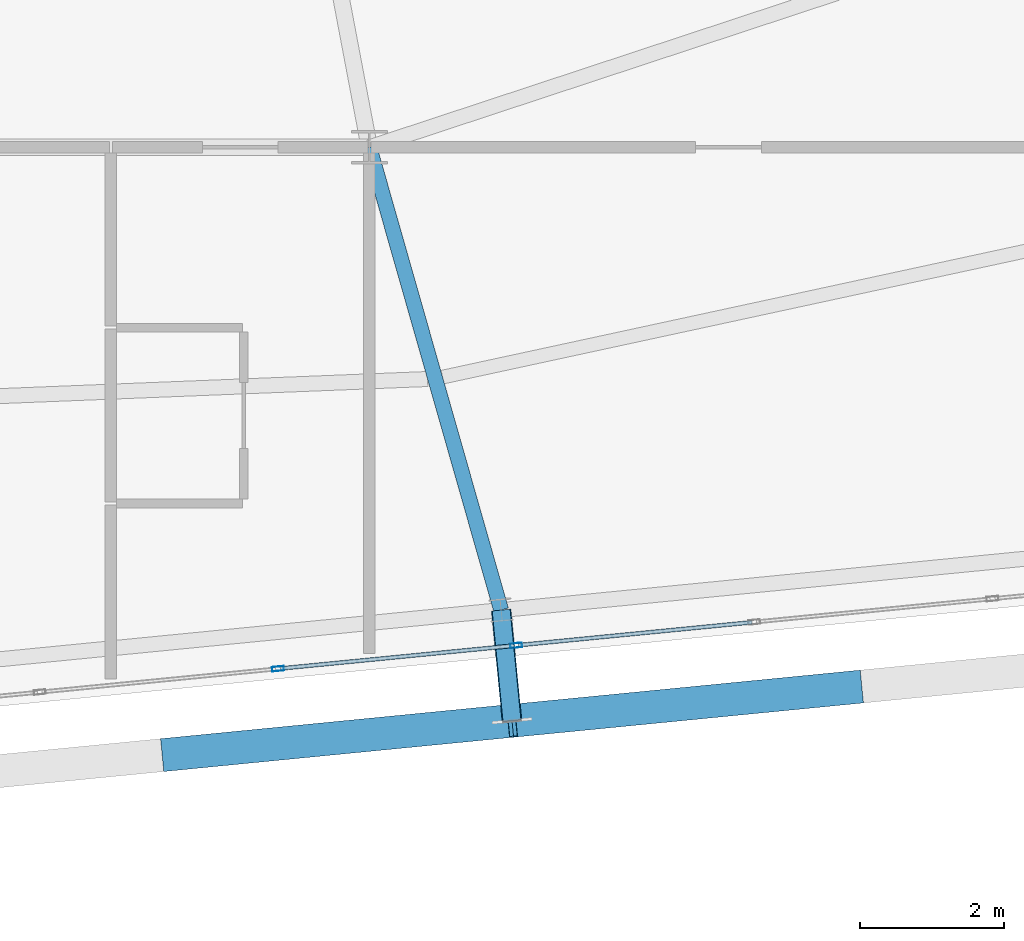
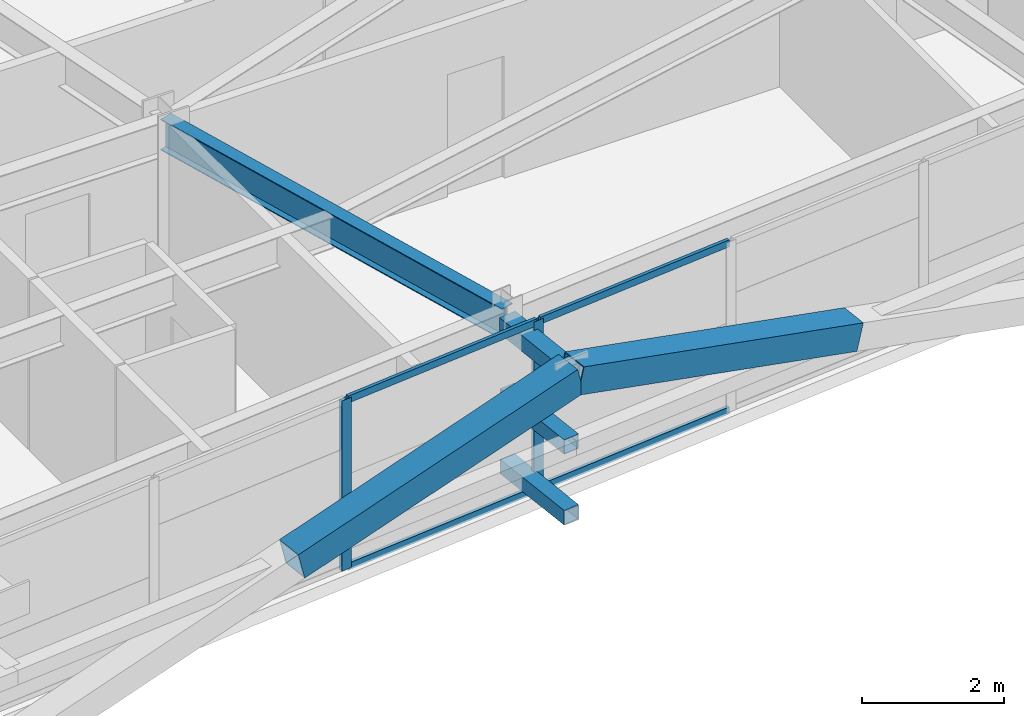
# One storey, part 17 of 52: 11 members, 1 beam, 1 element without a shape of its own.
"""IFC4 building model written with IfcOpenShell, lengths in metres."""

from ifc_helpers import new_model, si_unit, direction, frame, origin, origin_2d, place, context, subcontext, project, spatial, hollow_rectangle, i_section, extrude, source, transform, mapped, material, layer, layer_set, material_profile, profile_set, type_object, element, aggregate, save


model = new_model("IFC4")

# Units and contexts
model_context = context("Model", 3, precision=1e-05, world=origin(), true_north=direction((0.0, 1.0)))
body_context = subcontext(model_context, "Body", "Model", "MODEL_VIEW")
ifc_project = project(units=[si_unit("LENGTHUNIT", "METRE"), si_unit("AREAUNIT", "SQUARE_METRE"), si_unit("VOLUMEUNIT", "CUBIC_METRE"), si_unit("PLANEANGLEUNIT", "RADIAN"), si_unit("MASSUNIT", "GRAM", prefix="KILO")], contexts=[model_context])

# Site, building, storey
site_placement = place(None, origin())
site = spatial("IfcSite", under=ifc_project, at=site_placement, CompositionType="ELEMENT")
building_placement = place(site_placement, origin())
building = spatial("IfcBuilding", under=site, at=building_placement, Name="Taldren Reach Tower", CompositionType="ELEMENT")
storey_placement = place(building_placement, frame((0.0, 0.0, 93.449951171875)))
storey = spatial("IfcBuildingStorey", under=building, at=storey_placement, Name="L28", CompositionType="ELEMENT", Elevation=93.449951171875)

# Members
ifc_material_1 = material(Name="Steel Gr 450 (C450L0)", Category="steel")
ifc_material_profile_1 = material_profile(ifc_material_1, hollow_rectangle(XDim=0.27490234375, YDim=0.27490234375, WallThickness=0.00927734375, at=origin_2d()), Name="275x275x9.3SHS")
ifc_profile_set_1 = profile_set([ifc_material_profile_1], Name="Steel Gr 450 (C450L0)")
member_type_1 = type_object("IfcMemberType", Name="MB-TIE273", PredefinedType="STRUT", material=ifc_profile_set_1)
shared_shape_1 = source(origin(), body_context, "Body", "SweptSolid", [
    extrude(hollow_rectangle(XDim=0.27490234375, YDim=0.27490234375, WallThickness=0.00927734375, at=origin_2d()), origin(), (0.0, 0.0, 1.0), 1.5498046875),
])
member_1_placement = place(storey_placement, frame((43.83544921875, 2.75390625, 2.650146484375), z_axis=(0.097663201064, -0.995219523099, 0.0), x_axis=(0.995219523099, 0.097663201064, 0.0)))
element("IfcMember", 1, at=member_1_placement, inside=storey, type_object=member_type_1, Name="Exoskeleton diaphragm tie strut B2-S4 L28", PredefinedType="STRUT", context=body_context, shape_type="MappedRepresentation", body=[
    mapped(shared_shape_1, transform((0.0, 0.0, 0.0), scale=1.0)),
])
ifc_material_2 = material(Name="Steel Gr 350 (C350L0)", Category="steel")
ifc_material_profile_2 = material_profile(ifc_material_2, hollow_rectangle(XDim=0.25, YDim=0.25, WallThickness=0.010009765625, at=origin_2d()), Name="250x250x10.0SHS")
ifc_profile_set_2 = profile_set([ifc_material_profile_2], Name="Steel Gr 350 (C350L0)")
member_type_2 = type_object("IfcMemberType", Name="MB-POST250", PredefinedType="POST", material=ifc_profile_set_2)
shared_shape_2 = source(origin(), body_context, "Body", "SweptSolid", [
    extrude(hollow_rectangle(XDim=0.25, YDim=0.25, WallThickness=0.010009765625, at=origin_2d()), origin(), (0.0, 0.0, 1.0), 1.5498046875),
])
for number, where, z_axis, x_axis, name in (
    (2, (43.83544921875, 2.75390625, 0.219970703125), (0.097663201064, -0.995219523099, 0.0), (0.995219523099, 0.097663201064, 0.0), "Exoskeleton base diaphragm tie strut B2-S4 L28"),
    (3, (43.83544921875, 2.75390625, 1.43505859375), (0.097663201064, -0.995219523099, 0.0), (0.995219523099, 0.097663201064, 0.0), "Exoskeleton mid-tier diaphragm tie B2-S4 L28"),
):
    element("IfcMember", number, at=place(storey_placement, frame(where, z_axis=z_axis, x_axis=x_axis)), inside=storey, type_object=member_type_2, Name=name, PredefinedType="POST", context=body_context, shape_type="MappedRepresentation", body=[
        mapped(shared_shape_2, transform((0.0, 0.0, 0.0), scale=1.0)),
    ])

# Beam
ifc_material_3 = material(Name="Steel Gr 350 (350PLUS)", Category="steel")
ifc_material_profile_3 = material_profile(ifc_material_3, i_section(OverallWidth=0.208984375, OverallDepth=0.532958984375, WebThickness=0.01025390625, FlangeThickness=0.015625, at=origin_2d()), Name="530UB92.4")
ifc_profile_set_3 = profile_set([ifc_material_profile_3], Name="Steel Gr 350 (350PLUS)")
beam_type = type_object("IfcBeamType", Name="BM-UB530A", PredefinedType="BEAM", material=ifc_profile_set_3)
shared_shape_3 = source(origin(), body_context, "Body", "SweptSolid", [
    extrude(i_section(OverallWidth=0.208984375, OverallDepth=0.532958984375, WebThickness=0.01025390625, FlangeThickness=0.015625, at=origin_2d()), origin(), (0.0, 0.0, 1.0), 6.7021484375),
])
beam_placement = place(storey_placement, frame((42.0, 9.199951171875, 2.66357421875), z_axis=(0.273855026091, -0.961770983491, 0.0), x_axis=(0.961770983491, 0.273855026091, 0.0)))
element("IfcBeam", 4, at=beam_placement, inside=storey, type_object=beam_type, Name="Primary floor girder B2-S4 L28", PredefinedType="BEAM", context=body_context, shape_type="MappedRepresentation", body=[
    mapped(shared_shape_3, transform((0.0, 0.0, 0.0), scale=1.0)),
])

# Members
ifc_material_profile_4 = material_profile(ifc_material_1, hollow_rectangle(XDim=0.4599609375, YDim=0.4599609375, WallThickness=0.01611328125, at=origin_2d()), Name="460x460x16.0SHS")
ifc_profile_set_4 = profile_set([ifc_material_profile_4], Name="Steel Gr 450 (C450L0)")
member_type_3 = type_object("IfcMemberType", Name="MB-EXO457", PredefinedType="BRACE", material=ifc_profile_set_4)
shared_shape_4 = source(origin(), body_context, "Body", "SweptSolid", [
    extrude(hollow_rectangle(XDim=0.4599609375, YDim=0.4599609375, WallThickness=0.01611328125, at=origin_2d()), origin(), (0.0, 0.0, 1.0), 4.990234375),
])
for number, where, z_axis, x_axis, name in (
    (5, (39.169921875, 0.739013671875, 1.43505859375), (0.965271056716, 0.094667992638, 0.243494883389), (-0.097605711627, 0.995225162995, 0.0), "Exoskeleton Diagrid Brace B2-S3 L28"),
    (6, (48.8037109375, 1.68359375, 1.43505859375), (-0.965275526283, -0.094619506732, 0.243496010862), (0.097555749586, -0.995230061706, 0.0), "Exoskeleton Diagrid Brace B2-S4 L28"),
):
    element("IfcMember", number, at=place(storey_placement, frame(where, z_axis=z_axis, x_axis=x_axis)), inside=storey, type_object=member_type_3, Name=name, PredefinedType="BRACE", context=body_context, shape_type="MappedRepresentation", body=[
        mapped(shared_shape_4, transform((0.0, 0.0, 0.0), scale=1.0)),
    ])

# Curtain wall, members
ifc_material_4 = material(Name="Aluminium and Low-E Glass Unitised System", Category="aluminium")
ifc_layer = layer(ifc_material_4, 0.159912109375)
ifc_layer_set = layer_set([ifc_layer], Name="Aluminium and Low-E Glass Unitised System")
curtain_wall_type = type_object("IfcCurtainWallType", Name="CW-SYS-3", PredefinedType="NOTDEFINED", material=ifc_layer_set)
curtain_wall_placement = place(storey_placement, origin())
curtain_wall = element("IfcCurtainWall", 7, at=curtain_wall_placement, inside=storey, type_object=curtain_wall_type, Name="Unitised curtain wall CW-L28-S", PredefinedType="NOTDEFINED")
ifc_material_5 = material(Name="Anodised Aluminium 6063-T6", Category="aluminium")
ifc_material_profile_5 = material_profile(ifc_material_5, hollow_rectangle(XDim=0.06494140625, YDim=0.1650390625, WallThickness=0.00390625, at=origin_2d()), Name="ALU-165x65x4RHS")
ifc_profile_set_5 = profile_set([ifc_material_profile_5], Name="Anodised Aluminium 6063-T6")
member_type_4 = type_object("IfcMemberType", Name="CW-MUL-165", PredefinedType="MULLION", material=ifc_profile_set_5)
shared_shape_5 = source(origin(), body_context, "Body", "SweptSolid", [
    extrude(hollow_rectangle(XDim=0.06494140625, YDim=0.1650390625, WallThickness=0.00390625, at=origin_2d()), origin(), (0.0, 0.0, 1.0), 2.929931640625),
])
member_2_placement = place(storey_placement, frame((40.72705078125, 1.936767578125, 0.0), z_axis=(0.0, 0.0, 1.0), x_axis=(-0.097582999046, 0.995227390247, 0.0)))
member_2 = element("IfcMember", 8, at=member_2_placement, type_object=member_type_4, Name="CW-3 mullion 9", PredefinedType="MULLION", context=body_context, shape_type="MappedRepresentation", body=[
    mapped(shared_shape_5, transform((0.0, 0.0, 0.0), scale=1.0)),
])
member_3_placement = place(storey_placement, frame((44.044677734375, 2.261962890625, 0.0), z_axis=(0.0, 0.0, 1.0), x_axis=(-0.097582999046, 0.995227390247, 0.0)))
member_3 = element("IfcMember", 9, at=member_3_placement, type_object=member_type_4, Name="CW-3 mullion 10", PredefinedType="MULLION", context=body_context, shape_type="MappedRepresentation", body=[
    mapped(shared_shape_5, transform((0.0, 0.0, 0.0), scale=1.0)),
])
ifc_material_profile_6 = material_profile(ifc_material_5, hollow_rectangle(XDim=0.054931640625, YDim=0.1201171875, WallThickness=0.0029296875, at=origin_2d()), Name="ALU-120x55x3RHS")
ifc_profile_set_6 = profile_set([ifc_material_profile_6], Name="Anodised Aluminium 6063-T6")
member_type_5 = type_object("IfcMemberType", Name="CW-TRN-135", PredefinedType="USERDEFINED", material=ifc_profile_set_6)
shared_shape_6 = source(origin(), body_context, "Body", "SweptSolid", [
    extrude(hollow_rectangle(XDim=0.054931640625, YDim=0.1201171875, WallThickness=0.0029296875, at=origin_2d()), origin(), (0.0, 0.0, 1.0), 3.268310546875),
])
member_4_placement = place(storey_placement, frame((40.759521484375, 1.93994140625, 0.027587890625), z_axis=(0.99522980512, 0.097558367146, 0.0), x_axis=(-0.097558367146, 0.99522980512, 0.0)))
member_4 = element("IfcMember", 10, at=member_4_placement, type_object=member_type_5, Name="CW-3 transom 9.1", ObjectType="TRANSOM", PredefinedType="USERDEFINED", context=body_context, shape_type="MappedRepresentation", body=[
    mapped(shared_shape_6, transform((0.0, 0.0, 0.0), scale=1.0)),
])
member_5_placement = place(storey_placement, frame((40.759521484375, 1.93994140625, 2.902587890625), z_axis=(0.99522980512, 0.097558367146, 0.0), x_axis=(-0.097558367146, 0.99522980512, 0.0)))
member_5 = element("IfcMember", 11, at=member_5_placement, type_object=member_type_5, Name="CW-3 transom 9.2", ObjectType="TRANSOM", PredefinedType="USERDEFINED", context=body_context, shape_type="MappedRepresentation", body=[
    mapped(shared_shape_6, transform((0.0, 0.0, 0.0), scale=1.0)),
])
member_6_placement = place(storey_placement, frame((44.076904296875, 2.26513671875, 0.027587890625), z_axis=(0.99522980512, 0.097558367146, 0.0), x_axis=(-0.097558367146, 0.99522980512, 0.0)))
member_6 = element("IfcMember", 12, at=member_6_placement, type_object=member_type_5, Name="CW-3 transom 10.1", ObjectType="TRANSOM", PredefinedType="USERDEFINED", context=body_context, shape_type="MappedRepresentation", body=[
    mapped(shared_shape_6, transform((0.0, 0.0, 0.0), scale=1.0)),
])
member_7_placement = place(storey_placement, frame((44.076904296875, 2.26513671875, 2.902587890625), z_axis=(0.99522980512, 0.097558367146, 0.0), x_axis=(-0.097558367146, 0.99522980512, 0.0)))
member_7 = element("IfcMember", 13, at=member_7_placement, type_object=member_type_5, Name="CW-3 transom 10.2", ObjectType="TRANSOM", PredefinedType="USERDEFINED", context=body_context, shape_type="MappedRepresentation", body=[
    mapped(shared_shape_6, transform((0.0, 0.0, 0.0), scale=1.0)),
])
aggregate(curtain_wall, [member_2, member_3, member_4, member_5, member_6, member_7])

save(model, "model.ifc")
